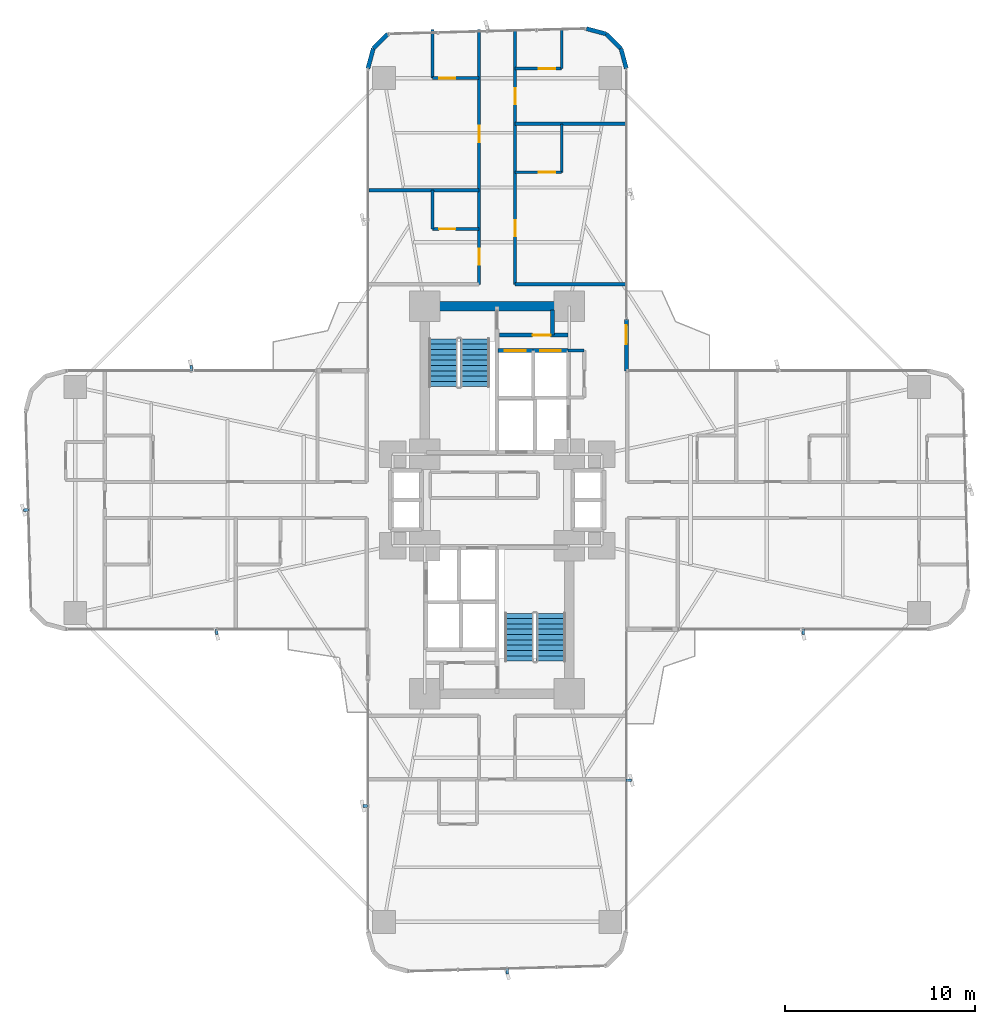
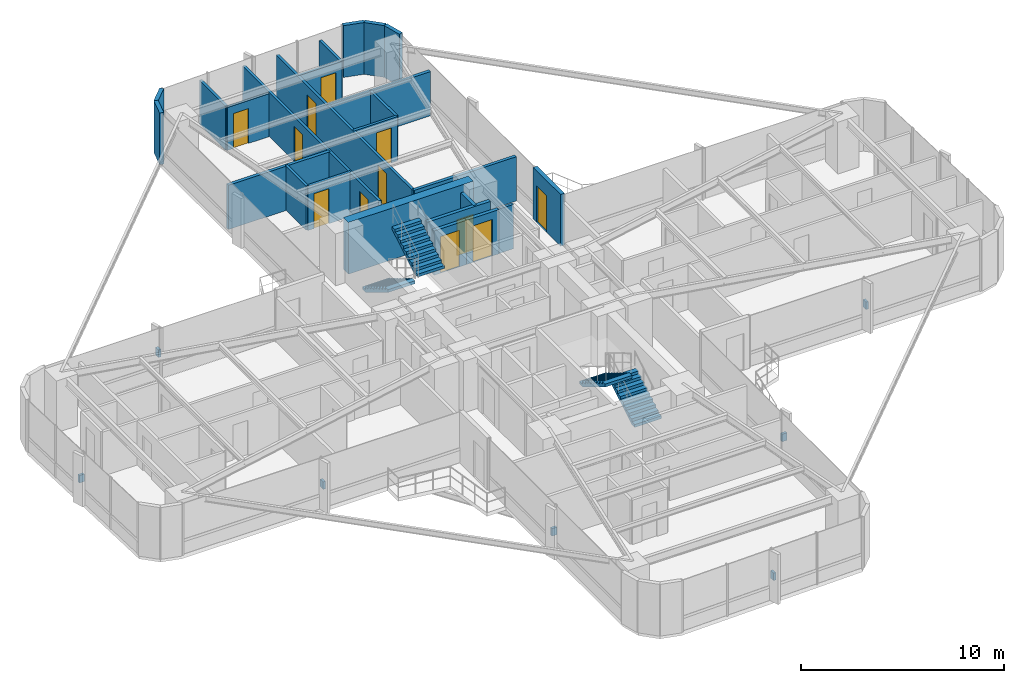
# One storey, part 24 of 26: 25 walls, 12 doors, 7 discrete accessories, 4 stair flights, 12 openings, 2 elements without a shape of their own.
"""IFC4 building model written with IfcOpenShell, lengths in metres."""

from ifc_helpers import new_model, si_unit, direction, frame, frame_2d, origin, origin_2d, place, context, subcontext, project, spatial, polyline, rectangle, outline, extrude, source, transform, mapped, material, layer, layer_set, type_object, element, fill, aggregate, save


model = new_model("IFC4")

# Units and contexts
model_context = context("Model", 3, precision=1e-05, world=origin(), true_north=direction((0.0, 1.0)))
body_context = subcontext(model_context, "Body", "Model", "MODEL_VIEW")
ifc_project = project(units=[si_unit("LENGTHUNIT", "METRE"), si_unit("AREAUNIT", "SQUARE_METRE"), si_unit("VOLUMEUNIT", "CUBIC_METRE"), si_unit("PLANEANGLEUNIT", "RADIAN"), si_unit("MASSUNIT", "GRAM", prefix="KILO")], contexts=[model_context])

# Site, building, storey
site_placement = place(None, origin())
site = spatial("IfcSite", under=ifc_project, at=site_placement, CompositionType="ELEMENT")
building_placement = place(site_placement, origin())
building = spatial("IfcBuilding", under=site, at=building_placement, Name="Sahyath Konkavel Grand Hotel", CompositionType="ELEMENT")
storey_placement = place(building_placement, frame((0.0, 0.0, 51.050048828125)))
storey = spatial("IfcBuildingStorey", under=building, at=storey_placement, Name="L13", CompositionType="ELEMENT", Elevation=51.050048828125)

# Wall
ifc_material_1 = material(Name="Concrete C70/85", Category="concrete")
ifc_layer_1 = layer(ifc_material_1, 0.5)
ifc_layer_set_1 = layer_set([ifc_layer_1], Name="Concrete C70/85")
wall_type_1 = type_object("IfcWallType", Name="CWALL-500", PredefinedType="SHEAR", material=ifc_layer_set_1)
wall_1_placement = place(storey_placement, frame((-3.550048828125, 10.199951171875, 0.0), z_axis=(0.0, 0.0, 1.0), x_axis=(1.0, 0.0, 0.0)))
element("IfcWall", 1, at=wall_1_placement, inside=storey, type_object=wall_type_1, Name="L13 North Core Shear Wall N", PredefinedType="SHEAR", context=body_context, shape_type="SweptSolid", body=[
    extrude(rectangle(XDim=7.10009765625, YDim=0.5, at=frame_2d((3.550048828125, 0.0))), origin(), (0.0, 0.0, 1.0), 3.10986328125),
])

# Wall, opening, door
ifc_material_2 = material(Name="Warm Buff Sandstone Insulated Concrete C40/50", Category="masonry")
ifc_layer_2 = layer(ifc_material_2, 0.219970703125)
ifc_layer_set_2 = layer_set([ifc_layer_2], Name="Warm Buff Sandstone Insulated Concrete C40/50")
wall_type_2 = type_object("IfcWallType", Name="WLL-BALC-THRESH", PredefinedType="STANDARD", material=ifc_layer_set_2)
wall_2_placement = place(storey_placement, frame((6.800048828125, 6.800048828125, 0.0), z_axis=(0.0, 0.0, 1.0), x_axis=(0.0, 1.0, 0.0)))
wall_2 = element("IfcWall", 2, at=wall_2_placement, inside=storey, type_object=wall_type_2, Name="L13 Winter-Garden Threshold Wall 8", PredefinedType="STANDARD", context=body_context, shape_type="SweptSolid", body=[
    extrude(rectangle(XDim=2.699951171875, YDim=0.219970703125, at=frame_2d((1.35009765625, 0.0))), origin(), (0.0, 0.0, 1.0), 3.10986328125),
])
opening_1_placement = place(wall_2_placement, frame((1.39990234375, 0.0, 0.0)))
opening_1 = element("IfcOpeningElement", 3, at=opening_1_placement, cuts=wall_2, Name="Opening D-TR1", PredefinedType="OPENING", context=body_context, shape_type="SweptSolid", body=[
    extrude(rectangle(XDim=1.0, YDim=2.199951171875, at=frame_2d((0.5, 1.10009765625))), frame((0.0, 0.1201171875, 0.0), z_axis=(0.0, -1.0, 0.0), x_axis=(1.0, 0.0, 0.0)), (0.0, 0.0, 1.0), 0.239990234375),
])
ifc_material_3 = material(Name="Anodised Bronze Aluminium & Low-E Glazing", Category="aluminium")
door_type_1 = type_object("IfcDoorType", Name="DR-TERRACE-1000", OperationType="NOTDEFINED", PredefinedType="DOOR", material=ifc_material_3)
shared_shape_1 = source(origin(), body_context, "Body", "SweptSolid", [
    extrude(rectangle(XDim=1.0, YDim=0.050048828125, at=origin_2d()), origin(), (0.0, 0.0, 1.0), 2.199951171875),
])
door_1_placement = place(opening_1_placement, frame((0.5, 0.0, 0.0)))
door_1 = element("IfcDoor", 4, at=door_1_placement, inside=storey, type_object=door_type_1, Name="L13 Winter-Garden Terrace Door 8", OperationType="SINGLE_SWING_LEFT", OverallHeight=2.199951171875, OverallWidth=1.0, PredefinedType="DOOR", context=body_context, shape_type="MappedRepresentation", body=[
    mapped(shared_shape_1, transform((0.0, 0.0, 0.0), scale=1.0)),
])
fill(opening_1, door_1)

# Walls
for number, where, z_axis, x_axis, name in (
    (5, (6.800048828125, 22.699951171875, 0.0), (0.0, 0.0, 1.0), (-0.25872485917, 0.965951058412, 0.0), "L13 Rounded Corner Sandstone Pier 9"),
    (6, (6.518798828125, 23.75, 0.0), (0.0, 0.0, 1.0), (-0.707106781187, 0.707106781187, 0.0), "L13 Rounded Corner Sandstone Pier 10"),
    (7, (5.75, 24.518798828125, 0.0), (0.0, 0.0, 1.0), (-0.965951058412, 0.25872485917, 0.0), "L13 Rounded Corner Sandstone Pier 11"),
    (8, (-5.75, 24.518798828125, 0.0), (0.0, 0.0, 1.0), (-0.707106781187, -0.707106781187, 0.0), "L13 Rounded Corner Sandstone Pier 13"),
    (9, (-6.518798828125, 23.75, 0.0), (0.0, 0.0, 1.0), (-0.25872485917, -0.965951058412, 0.0), "L13 Rounded Corner Sandstone Pier 14"),
):
    element("IfcWall", number, at=place(storey_placement, frame(where, z_axis=z_axis, x_axis=x_axis)), inside=storey, type_object=wall_type_2, Name=name, PredefinedType="STANDARD", context=body_context, shape_type="SweptSolid", body=[
        extrude(rectangle(XDim=1.087158203125, YDim=0.219970703125, at=frame_2d((0.54345703125, 0.0))), origin(), (0.0, 0.0, 1.0), 3.10986328125),
    ])

# Wall, opening, door
ifc_material_4 = material(Name="Concrete C40/50", Category="concrete")
ifc_layer_3 = layer(ifc_material_4, 0.199951171875)
ifc_layer_set_3 = layer_set([ifc_layer_3], Name="Concrete C40/50")
wall_type_3 = type_object("IfcWallType", Name="WLL-CORE-200", PredefinedType="SOLIDWALL", material=ifc_layer_set_3)
wall_3_placement = place(storey_placement, frame((0.050048828125, 7.860107421875, 0.0), z_axis=(0.0, 0.0, 1.0), x_axis=(1.0, 0.0, 0.0)))
wall_3 = element("IfcWall", 10, at=wall_3_placement, inside=storey, type_object=wall_type_3, Name="L13 Partition SH-PL1-N", PredefinedType="SOLIDWALL", context=body_context, shape_type="SweptSolid", body=[
    extrude(rectangle(XDim=1.849853515625, YDim=0.199951171875, at=frame_2d((0.9248046875, 0.0))), origin(), (0.0, 0.0, 1.0), 2.659912109375),
])
opening_2_placement = place(wall_3_placement, frame((0.360107421875, 0.0, 0.0)))
opening_2 = element("IfcOpeningElement", 11, at=opening_2_placement, cuts=wall_3, Name="Opening LD-11", PredefinedType="OPENING", context=body_context, shape_type="SweptSolid", body=[
    extrude(rectangle(XDim=1.10009765625, YDim=2.199951171875, at=frame_2d((0.550048828125, 1.10009765625))), frame((0.0, 0.10986328125, 0.0), z_axis=(0.0, -1.0, 0.0), x_axis=(1.0, 0.0, 0.0)), (0.0, 0.0, 1.0), 0.219970703125),
])
ifc_material_5 = material(Name="Bronze Lift Landing Door 1100")
door_type_2 = type_object("IfcDoorType", Name="DR-LIFT-1100", OperationType="DOUBLE_DOOR_SLIDING", PredefinedType="DOOR", material=ifc_material_5)
shared_shape_2 = source(origin(), body_context, "Body", "SweptSolid", [
    extrude(rectangle(XDim=1.10009765625, YDim=0.050048828125, at=origin_2d()), origin(), (0.0, 0.0, 1.0), 2.199951171875),
])
door_2_placement = place(opening_2_placement, frame((0.550048828125, 0.0, 0.0)))
door_2 = element("IfcDoor", 12, at=door_2_placement, inside=storey, type_object=door_type_2, Name="L13 Passenger Lift PL-1 Landing Door", OperationType="DOUBLE_DOOR_SLIDING", OverallHeight=2.199951171875, OverallWidth=1.10009765625, PredefinedType="DOOR", context=body_context, shape_type="MappedRepresentation", body=[
    mapped(shared_shape_2, transform((0.0, 0.0, 0.0), scale=1.0)),
])
fill(opening_2, door_2)

wall_4_placement = place(storey_placement, frame((1.89990234375, 7.860107421875, 0.0), z_axis=(0.0, 0.0, 1.0), x_axis=(1.0, 0.0, 0.0)))
wall_4 = element("IfcWall", 13, at=wall_4_placement, inside=storey, type_object=wall_type_3, Name="L13 Partition SH-PL2-N", PredefinedType="SOLIDWALL", context=body_context, shape_type="SweptSolid", body=[
    extrude(rectangle(XDim=1.840087890625, YDim=0.199951171875, at=frame_2d((0.919921875, 0.0))), origin(), (0.0, 0.0, 1.0), 2.659912109375),
])
opening_3_placement = place(wall_4_placement, frame((0.360107421875, 0.0, 0.0)))
opening_3 = element("IfcOpeningElement", 14, at=opening_3_placement, cuts=wall_4, Name="Opening LD-11", PredefinedType="OPENING", context=body_context, shape_type="SweptSolid", body=[
    extrude(rectangle(XDim=1.10009765625, YDim=2.199951171875, at=frame_2d((0.550048828125, 1.10009765625))), frame((0.0, 0.10986328125, 0.0), z_axis=(0.0, -1.0, 0.0), x_axis=(1.0, 0.0, 0.0)), (0.0, 0.0, 1.0), 0.219970703125),
])
door_3_placement = place(opening_3_placement, frame((0.550048828125, 0.0, 0.0)))
door_3 = element("IfcDoor", 15, at=door_3_placement, inside=storey, type_object=door_type_2, Name="L13 Passenger Lift PL-2 Landing Door", OperationType="DOUBLE_DOOR_SLIDING", OverallHeight=2.199951171875, OverallWidth=1.10009765625, PredefinedType="DOOR", context=body_context, shape_type="MappedRepresentation", body=[
    mapped(shared_shape_2, transform((0.0, 0.0, 0.0), scale=1.0)),
])
fill(opening_3, door_3)

wall_5_placement = place(storey_placement, frame((0.1201171875, 8.679931640625, 0.0), z_axis=(0.0, 0.0, 1.0), x_axis=(1.0, 0.0, 0.0)))
wall_5 = element("IfcWall", 16, at=wall_5_placement, inside=storey, type_object=wall_type_3, Name="L13 North FF Lobby Separation Wall", PredefinedType="SOLIDWALL", context=body_context, shape_type="SweptSolid", body=[
    extrude(rectangle(XDim=3.619873046875, YDim=0.199951171875, at=frame_2d((1.81005859375, 0.0))), origin(), (0.0, 0.0, 1.0), 2.659912109375),
])
opening_4_placement = place(wall_5_placement, frame((1.75, 0.0, 0.0)))
opening_4 = element("IfcOpeningElement", 17, at=opening_4_placement, cuts=wall_5, Name="Opening D-F12C", PredefinedType="OPENING", context=body_context, shape_type="SweptSolid", body=[
    extrude(rectangle(XDim=0.949951171875, YDim=2.14990234375, at=frame_2d((0.47509765625, 1.074951171875))), frame((0.0, 0.10986328125, 0.0), z_axis=(0.0, -1.0, 0.0), x_axis=(1.0, 0.0, 0.0)), (0.0, 0.0, 1.0), 0.219970703125),
])
ifc_material_6 = material(Name="Steel E350 Plant Fire Door", Category="steel")
door_type_3 = type_object("IfcDoorType", Name="DR-FD120-950", OperationType="NOTDEFINED", PredefinedType="DOOR", material=ifc_material_6)
shared_shape_3 = source(origin(), body_context, "Body", "SweptSolid", [
    extrude(rectangle(XDim=0.949951171875, YDim=0.050048828125, at=origin_2d()), origin(), (0.0, 0.0, 1.0), 2.14990234375),
])
door_4_placement = place(opening_4_placement, frame((0.47509765625, 0.0, 0.0)))
door_4 = element("IfcDoor", 18, at=door_4_placement, inside=storey, type_object=door_type_3, Name="L13 North Firefighting Lobby Door", OperationType="SINGLE_SWING_RIGHT", OverallHeight=2.14990234375, OverallWidth=0.949951171875, PredefinedType="DOOR", context=body_context, shape_type="MappedRepresentation", body=[
    mapped(shared_shape_3, transform((0.0, 0.0, 0.0), scale=1.0)),
])
fill(opening_4, door_4)

# Walls
wall_6_placement = place(storey_placement, frame((2.919921875, 8.679931640625, 0.0), z_axis=(0.0, 0.0, 1.0), x_axis=(0.0, 1.0, 0.0)))
element("IfcWall", 19, at=wall_6_placement, inside=storey, type_object=wall_type_3, Name="L13 Partition NFF-E2", PredefinedType="SOLIDWALL", context=body_context, shape_type="SweptSolid", body=[
    extrude(rectangle(XDim=1.320068359375, YDim=0.199951171875, at=frame_2d((0.66015625, 0.0))), origin(), (0.0, 0.0, 1.0), 2.659912109375),
])
ifc_material_7 = material(Name="Twin-Stud Acoustic Gypsum Plasterboard Partition")
ifc_layer_4 = layer(ifc_material_7, 0.179931640625)
ifc_layer_set_4 = layer_set([ifc_layer_4], Name="Twin-Stud Acoustic Gypsum Plasterboard Partition")
wall_type_4 = type_object("IfcWallType", Name="WLL-DEMISE-180", PredefinedType="PARTITIONING", material=ifc_layer_set_4)
for number, where, z_axis, x_axis, name in (
    (20, (6.75, 11.35009765625, 0.0), (0.0, 0.0, 1.0), (-1.0, 0.0, 0.0), "L13 Partition N-INR"),
    (21, (-0.949951171875, 16.30810546875, 0.0), (0.0, 0.0, 1.0), (-1.0, 0.0, 0.0), "L13 Partition N-N1L-DEM"),
    (22, (0.949951171875, 19.7919921875, 0.0), (0.0, 0.0, 1.0), (1.0, 0.0, 0.0), "L13 Partition N-N1R-DEM"),
):
    element("IfcWall", number, at=place(storey_placement, frame(where, z_axis=z_axis, x_axis=x_axis)), inside=storey, type_object=wall_type_4, Name=name, PredefinedType="PARTITIONING", context=body_context, shape_type="SweptSolid", body=[
        extrude(rectangle(XDim=5.800048828125, YDim=0.179931640625, at=frame_2d((2.89990234375, 0.0))), origin(), (0.0, 0.0, 1.0), 2.659912109375),
    ])
ifc_material_8 = material(Name="Fire-Rated Gypsum Plasterboard Partition")
ifc_layer_5 = layer(ifc_material_8, 0.14990234375)
ifc_layer_set_5 = layer_set([ifc_layer_5], Name="Fire-Rated Gypsum Plasterboard Partition")
wall_type_5 = type_object("IfcWallType", Name="WLL-PART-150", PredefinedType="PARTITIONING", material=ifc_layer_set_5)
wall_7_placement = place(storey_placement, frame((3.739990234375, 7.860107421875, 0.0), z_axis=(0.0, 0.0, 1.0), x_axis=(1.0, 0.0, 0.0)))
element("IfcWall", 23, at=wall_7_placement, inside=storey, type_object=wall_type_5, Name="L13 Partition NC-FLK-N", PredefinedType="PARTITIONING", context=body_context, shape_type="SweptSolid", body=[
    extrude(rectangle(XDim=0.840087890625, YDim=0.14990234375, at=frame_2d((0.419921875, 0.0))), origin(), (0.0, 0.0, 1.0), 2.659912109375),
])

# Wall, openings, doors
wall_8_placement = place(storey_placement, frame((-0.949951171875, 11.35009765625, 0.0), z_axis=(0.0, 0.0, 1.0), x_axis=(0.0, 1.0, 0.0)))
wall_8 = element("IfcWall", 24, at=wall_8_placement, inside=storey, type_object=wall_type_5, Name="L13 Partition N-CL", PredefinedType="PARTITIONING", context=body_context, shape_type="SweptSolid", body=[
    extrude(rectangle(XDim=13.39990234375, YDim=0.14990234375, at=frame_2d((6.699951171875, 0.0))), origin(), (0.0, 0.0, 1.0), 2.659912109375),
])
opening_5_placement = place(wall_8_placement, frame((1.029052734375, 0.0, 0.0)))
opening_5 = element("IfcOpeningElement", 25, at=opening_5_placement, cuts=wall_8, Name="Opening D-F06D", PredefinedType="OPENING", context=body_context, shape_type="SweptSolid", body=[
    extrude(rectangle(XDim=0.85009765625, YDim=2.10009765625, at=frame_2d((0.425048828125, 1.050048828125))), frame((0.0, 0.0849609375, 0.0), z_axis=(0.0, -1.0, 0.0), x_axis=(1.0, 0.0, 0.0)), (0.0, 0.0, 1.0), 0.169921875),
])
opening_6_placement = place(wall_8_placement, frame((7.47900390625, 0.0, 0.0)))
opening_6 = element("IfcOpeningElement", 26, at=opening_6_placement, cuts=wall_8, Name="Opening D-F06D", PredefinedType="OPENING", context=body_context, shape_type="SweptSolid", body=[
    extrude(rectangle(XDim=0.85009765625, YDim=2.10009765625, at=frame_2d((0.425048828125, 1.050048828125))), frame((0.0, 0.0849609375, 0.0), z_axis=(0.0, -1.0, 0.0), x_axis=(1.0, 0.0, 0.0)), (0.0, 0.0, 1.0), 0.169921875),
])
ifc_material_9 = material(Name="Fire-Rated Shaft Access Door")
door_type_4 = type_object("IfcDoorType", Name="DR-FD60-850", OperationType="NOTDEFINED", PredefinedType="DOOR", material=ifc_material_9)
shared_shape_4 = source(origin(), body_context, "Body", "SweptSolid", [
    extrude(rectangle(XDim=0.85009765625, YDim=0.050048828125, at=origin_2d()), origin(), (0.0, 0.0, 1.0), 2.10009765625),
])
door_5_placement = place(opening_5_placement, frame((0.425048828125, 0.0, 0.0)))
door_5 = element("IfcDoor", 27, at=door_5_placement, inside=storey, type_object=door_type_4, Name="L13 Door N-N1L-ED", OperationType="SINGLE_SWING_RIGHT", OverallHeight=2.10009765625, OverallWidth=0.85009765625, PredefinedType="DOOR", context=body_context, shape_type="MappedRepresentation", body=[
    mapped(shared_shape_4, transform((0.0, 0.0, 0.0), scale=1.0)),
])
fill(opening_5, door_5)
door_6_placement = place(opening_6_placement, frame((0.425048828125, 0.0, 0.0)))
door_6 = element("IfcDoor", 28, at=door_6_placement, inside=storey, type_object=door_type_4, Name="L13 Door N-N2L-ED", OperationType="SINGLE_SWING_RIGHT", OverallHeight=2.10009765625, OverallWidth=0.85009765625, PredefinedType="DOOR", context=body_context, shape_type="MappedRepresentation", body=[
    mapped(shared_shape_4, transform((0.0, 0.0, 0.0), scale=1.0)),
])
fill(opening_6, door_6)

wall_9_placement = place(storey_placement, frame((0.949951171875, 11.35009765625, 0.0), z_axis=(0.0, 0.0, 1.0), x_axis=(0.0, 1.0, 0.0)))
wall_9 = element("IfcWall", 29, at=wall_9_placement, inside=storey, type_object=wall_type_5, Name="L13 Partition N-CR", PredefinedType="PARTITIONING", context=body_context, shape_type="SweptSolid", body=[
    extrude(rectangle(XDim=13.39990234375, YDim=0.14990234375, at=frame_2d((6.699951171875, 0.0))), origin(), (0.0, 0.0, 1.0), 2.659912109375),
])
opening_7_placement = place(wall_9_placement, frame((2.52099609375, 0.0, 0.0)))
opening_7 = element("IfcOpeningElement", 30, at=opening_7_placement, cuts=wall_9, Name="Opening D-F06D", PredefinedType="OPENING", context=body_context, shape_type="SweptSolid", body=[
    extrude(rectangle(XDim=0.85009765625, YDim=2.10009765625, at=frame_2d((0.425048828125, 1.050048828125))), frame((0.0, 0.0849609375, 0.0), z_axis=(0.0, -1.0, 0.0), x_axis=(1.0, 0.0, 0.0)), (0.0, 0.0, 1.0), 0.169921875),
])
opening_8_placement = place(wall_9_placement, frame((9.470947265625, 0.0, 0.0)))
opening_8 = element("IfcOpeningElement", 31, at=opening_8_placement, cuts=wall_9, Name="Opening D-F06D", PredefinedType="OPENING", context=body_context, shape_type="SweptSolid", body=[
    extrude(rectangle(XDim=0.85009765625, YDim=2.10009765625, at=frame_2d((0.425048828125, 1.050048828125))), frame((0.0, 0.0849609375, 0.0), z_axis=(0.0, -1.0, 0.0), x_axis=(1.0, 0.0, 0.0)), (0.0, 0.0, 1.0), 0.169921875),
])
door_7_placement = place(opening_7_placement, frame((0.425048828125, 0.0, 0.0)))
door_7 = element("IfcDoor", 32, at=door_7_placement, inside=storey, type_object=door_type_4, Name="L13 Door N-N1R-ED", OperationType="SINGLE_SWING_RIGHT", OverallHeight=2.10009765625, OverallWidth=0.85009765625, PredefinedType="DOOR", context=body_context, shape_type="MappedRepresentation", body=[
    mapped(shared_shape_4, transform((0.0, 0.0, 0.0), scale=1.0)),
])
fill(opening_7, door_7)
door_8_placement = place(opening_8_placement, frame((0.425048828125, 0.0, 0.0)))
door_8 = element("IfcDoor", 33, at=door_8_placement, inside=storey, type_object=door_type_4, Name="L13 Door N-N2R-ED", OperationType="SINGLE_SWING_RIGHT", OverallHeight=2.10009765625, OverallWidth=0.85009765625, PredefinedType="DOOR", context=body_context, shape_type="MappedRepresentation", body=[
    mapped(shared_shape_4, transform((0.0, 0.0, 0.0), scale=1.0)),
])
fill(opening_8, door_8)

# Wall, opening, door
wall_10_placement = place(storey_placement, frame((-0.949951171875, 14.258056640625, 0.0), z_axis=(0.0, 0.0, 1.0), x_axis=(-1.0, 0.0, 0.0)))
wall_10 = element("IfcWall", 34, at=wall_10_placement, inside=storey, type_object=wall_type_5, Name="L13 Partition N-N1L-BS", PredefinedType="PARTITIONING", context=body_context, shape_type="SweptSolid", body=[
    extrude(rectangle(XDim=2.449951171875, YDim=0.14990234375, at=frame_2d((1.22509765625, 0.0))), origin(), (0.0, 0.0, 1.0), 2.659912109375),
])
opening_9_placement = place(wall_10_placement, frame((1.25, 0.0, 0.0)))
opening_9 = element("IfcOpeningElement", 35, at=opening_9_placement, cuts=wall_10, Name="Opening D-BT85", PredefinedType="OPENING", context=body_context, shape_type="SweptSolid", body=[
    extrude(rectangle(XDim=0.85009765625, YDim=2.10009765625, at=frame_2d((0.425048828125, 1.050048828125))), frame((0.0, 0.0849609375, 0.0), z_axis=(0.0, -1.0, 0.0), x_axis=(1.0, 0.0, 0.0)), (0.0, 0.0, 1.0), 0.169921875),
])
ifc_material_10 = material(Name="Moisture-Resistant Teak Bathroom Door")
door_type_5 = type_object("IfcDoorType", Name="DR-BATH-850", OperationType="NOTDEFINED", PredefinedType="DOOR", material=ifc_material_10)
door_9_placement = place(opening_9_placement, frame((0.425048828125, 0.0, 0.0)))
door_9 = element("IfcDoor", 36, at=door_9_placement, inside=storey, type_object=door_type_5, Name="L13 Door N-N1L-BD", OperationType="SINGLE_SWING_LEFT", OverallHeight=2.10009765625, OverallWidth=0.85009765625, PredefinedType="DOOR", context=body_context, shape_type="MappedRepresentation", body=[
    mapped(shared_shape_4, transform((0.0, 0.0, 0.0), scale=1.0)),
])
fill(opening_9, door_9)

# Wall
wall_11_placement = place(storey_placement, frame((-3.39990234375, 14.258056640625, 0.0), z_axis=(0.0, 0.0, 1.0), x_axis=(0.0, 1.0, 0.0)))
element("IfcWall", 37, at=wall_11_placement, inside=storey, type_object=wall_type_5, Name="L13 Partition N-N1L-BF", PredefinedType="PARTITIONING", context=body_context, shape_type="SweptSolid", body=[
    extrude(rectangle(XDim=2.050048828125, YDim=0.14990234375, at=frame_2d((1.02490234375, 0.0))), origin(), (0.0, 0.0, 1.0), 2.659912109375),
])

# Wall, opening, door
wall_12_placement = place(storey_placement, frame((-0.949951171875, 22.199951171875, 0.0), z_axis=(0.0, 0.0, 1.0), x_axis=(-1.0, 0.0, 0.0)))
wall_12 = element("IfcWall", 38, at=wall_12_placement, inside=storey, type_object=wall_type_5, Name="L13 Partition N-N2L-BS", PredefinedType="PARTITIONING", context=body_context, shape_type="SweptSolid", body=[
    extrude(rectangle(XDim=2.449951171875, YDim=0.14990234375, at=frame_2d((1.22509765625, 0.0))), origin(), (0.0, 0.0, 1.0), 2.579833984375),
])
opening_10_placement = place(wall_12_placement, frame((1.25, 0.0, 0.0)))
opening_10 = element("IfcOpeningElement", 39, at=opening_10_placement, cuts=wall_12, Name="Opening D-BT85", PredefinedType="OPENING", context=body_context, shape_type="SweptSolid", body=[
    extrude(rectangle(XDim=0.85009765625, YDim=2.10009765625, at=frame_2d((0.425048828125, 1.050048828125))), frame((0.0, 0.0849609375, 0.0), z_axis=(0.0, -1.0, 0.0), x_axis=(1.0, 0.0, 0.0)), (0.0, 0.0, 1.0), 0.169921875),
])
door_10_placement = place(opening_10_placement, frame((0.425048828125, 0.0, 0.0)))
door_10 = element("IfcDoor", 40, at=door_10_placement, inside=storey, type_object=door_type_5, Name="L13 Door N-N2L-BD", OperationType="SINGLE_SWING_LEFT", OverallHeight=2.10009765625, OverallWidth=0.85009765625, PredefinedType="DOOR", context=body_context, shape_type="MappedRepresentation", body=[
    mapped(shared_shape_4, transform((0.0, 0.0, 0.0), scale=1.0)),
])
fill(opening_10, door_10)

# Wall
wall_13_placement = place(storey_placement, frame((-3.39990234375, 22.199951171875, 0.0), z_axis=(0.0, 0.0, 1.0), x_axis=(0.0, 1.0, 0.0)))
element("IfcWall", 41, at=wall_13_placement, inside=storey, type_object=wall_type_5, Name="L13 Partition N-N2L-BF", PredefinedType="PARTITIONING", context=body_context, shape_type="SweptSolid", body=[
    extrude(rectangle(XDim=2.550048828125, YDim=0.14990234375, at=frame_2d((1.27490234375, 0.0))), origin(), (0.0, 0.0, 1.0), 2.659912109375),
])

# Wall, opening, door
wall_14_placement = place(storey_placement, frame((0.949951171875, 17.241943359375, 0.0), z_axis=(0.0, 0.0, 1.0), x_axis=(1.0, 0.0, 0.0)))
wall_14 = element("IfcWall", 42, at=wall_14_placement, inside=storey, type_object=wall_type_5, Name="L13 Partition N-N1R-BS", PredefinedType="PARTITIONING", context=body_context, shape_type="SweptSolid", body=[
    extrude(rectangle(XDim=2.449951171875, YDim=0.14990234375, at=frame_2d((1.22509765625, 0.0))), origin(), (0.0, 0.0, 1.0), 2.659912109375),
])
opening_11_placement = place(wall_14_placement, frame((1.25, 0.0, 0.0)))
opening_11 = element("IfcOpeningElement", 43, at=opening_11_placement, cuts=wall_14, Name="Opening D-BT85", PredefinedType="OPENING", context=body_context, shape_type="SweptSolid", body=[
    extrude(rectangle(XDim=0.85009765625, YDim=2.10009765625, at=frame_2d((0.425048828125, 1.050048828125))), frame((0.0, 0.0849609375, 0.0), z_axis=(0.0, -1.0, 0.0), x_axis=(1.0, 0.0, 0.0)), (0.0, 0.0, 1.0), 0.169921875),
])
door_11_placement = place(opening_11_placement, frame((0.425048828125, 0.0, 0.0)))
door_11 = element("IfcDoor", 44, at=door_11_placement, inside=storey, type_object=door_type_5, Name="L13 Door N-N1R-BD", OperationType="SINGLE_SWING_LEFT", OverallHeight=2.10009765625, OverallWidth=0.85009765625, PredefinedType="DOOR", context=body_context, shape_type="MappedRepresentation", body=[
    mapped(shared_shape_4, transform((0.0, 0.0, 0.0), scale=1.0)),
])
fill(opening_11, door_11)

# Wall
wall_15_placement = place(storey_placement, frame((3.39990234375, 17.241943359375, 0.0), z_axis=(0.0, 0.0, 1.0), x_axis=(0.0, 1.0, 0.0)))
element("IfcWall", 45, at=wall_15_placement, inside=storey, type_object=wall_type_5, Name="L13 Partition N-N1R-BF", PredefinedType="PARTITIONING", context=body_context, shape_type="SweptSolid", body=[
    extrude(rectangle(XDim=2.550048828125, YDim=0.14990234375, at=frame_2d((1.27490234375, 0.0))), origin(), (0.0, 0.0, 1.0), 2.659912109375),
])

# Wall, opening, door
wall_16_placement = place(storey_placement, frame((0.949951171875, 22.699951171875, 0.0), z_axis=(0.0, 0.0, 1.0), x_axis=(1.0, 0.0, 0.0)))
wall_16 = element("IfcWall", 46, at=wall_16_placement, inside=storey, type_object=wall_type_5, Name="L13 Partition N-N2R-BS", PredefinedType="PARTITIONING", context=body_context, shape_type="SweptSolid", body=[
    extrude(rectangle(XDim=2.449951171875, YDim=0.14990234375, at=frame_2d((1.22509765625, 0.0))), origin(), (0.0, 0.0, 1.0), 2.659912109375),
])
opening_12_placement = place(wall_16_placement, frame((1.25, 0.0, 0.0)))
opening_12 = element("IfcOpeningElement", 47, at=opening_12_placement, cuts=wall_16, Name="Opening D-BT85", PredefinedType="OPENING", context=body_context, shape_type="SweptSolid", body=[
    extrude(rectangle(XDim=0.85009765625, YDim=2.10009765625, at=frame_2d((0.425048828125, 1.050048828125))), frame((0.0, 0.0849609375, 0.0), z_axis=(0.0, -1.0, 0.0), x_axis=(1.0, 0.0, 0.0)), (0.0, 0.0, 1.0), 0.169921875),
])
door_12_placement = place(opening_12_placement, frame((0.425048828125, 0.0, 0.0)))
door_12 = element("IfcDoor", 48, at=door_12_placement, inside=storey, type_object=door_type_5, Name="L13 Door N-N2R-BD", OperationType="SINGLE_SWING_LEFT", OverallHeight=2.10009765625, OverallWidth=0.85009765625, PredefinedType="DOOR", context=body_context, shape_type="MappedRepresentation", body=[
    mapped(shared_shape_4, transform((0.0, 0.0, 0.0), scale=1.0)),
])
fill(opening_12, door_12)

# Wall
wall_17_placement = place(storey_placement, frame((3.39990234375, 22.699951171875, 0.0), z_axis=(0.0, 0.0, 1.0), x_axis=(0.0, 1.0, 0.0)))
element("IfcWall", 49, at=wall_17_placement, inside=storey, type_object=wall_type_5, Name="L13 Partition N-N2R-BF", PredefinedType="PARTITIONING", context=body_context, shape_type="SweptSolid", body=[
    extrude(rectangle(XDim=2.050048828125, YDim=0.14990234375, at=frame_2d((1.02490234375, 0.0))), origin(), (0.0, 0.0, 1.0), 2.659912109375),
])

# Stair, stair flights
stair_type = type_object("IfcStairType", Name="STR-ST16-335", PredefinedType="HALF_TURN_STAIR", material=ifc_material_4)
stair_1_placement = place(storey_placement, origin())
stair_1 = element("IfcStair", 50, at=stair_1_placement, inside=storey, type_object=stair_type, Name="L13 North Core Smokeproof Exit Stair ST-1", PredefinedType="HALF_TURN_STAIR")
stair_flight_type = type_object("IfcStairFlightType", Name="STF-ST16-335", PredefinedType="STRAIGHT", material=ifc_material_4)
stair_flight_1_placement = place(storey_placement, frame((-2.840087890625, 8.47998046875, 0.0), z_axis=(0.0, 0.0, 1.0), x_axis=(0.0, -1.0, 0.0)))
stair_flight_1 = element("IfcStairFlight", 51, at=stair_flight_1_placement, type_object=stair_flight_type, Name="ST-1 flight 1", NumberOfRisers=10, NumberOfTreads=9, PredefinedType="STRAIGHT", RiserHeight=0.1675, TreadLength=0.28, context=body_context, shape_type="SweptSolid", body=[
    extrude(outline(polyline([(0.0, 0.0), (0.0, 0.16748046875), (0.280029296875, 0.16748046875), (0.280029296875, 0.3349609375), (0.56005859375, 0.3349609375), (0.56005859375, 0.50244140625), (0.840087890625, 0.50244140625), (0.840087890625, 0.669921875), (1.1201171875, 0.669921875), (1.1201171875, 0.83740234375), (1.39990234375, 0.83740234375), (1.39990234375, 1.0048828125), (1.679931640625, 1.0048828125), (1.679931640625, 1.172607421875), (1.9599609375, 1.172607421875), (1.9599609375, 1.340087890625), (2.239990234375, 1.340087890625), (2.239990234375, 1.507568359375), (2.52001953125, 1.507568359375), (2.52001953125, 1.675048828125), (2.52001953125, 1.332763671875), (0.2919921875, 0.0), (0.0, 0.0)])), frame((0.0, 0.760009765625, 0.0), z_axis=(0.0, -1.0, 0.0), x_axis=(1.0, 0.0, 0.0)), (0.0, 0.0, 1.0), 1.52001953125),
])
stair_flight_2_placement = place(storey_placement, frame((-1.159912109375, 5.9599609375, 1.675048828125), z_axis=(0.0, 0.0, 1.0), x_axis=(0.0, 1.0, 0.0)))
stair_flight_2 = element("IfcStairFlight", 52, at=stair_flight_2_placement, type_object=stair_flight_type, Name="ST-1 flight 2", NumberOfRisers=10, NumberOfTreads=9, PredefinedType="STRAIGHT", RiserHeight=0.1675, TreadLength=0.28, context=body_context, shape_type="SweptSolid", body=[
    extrude(outline(polyline([(0.0, 0.0), (0.0, 0.16748046875), (0.280029296875, 0.16748046875), (0.280029296875, 0.3349609375), (0.56005859375, 0.3349609375), (0.56005859375, 0.50244140625), (0.840087890625, 0.50244140625), (0.840087890625, 0.669921875), (1.1201171875, 0.669921875), (1.1201171875, 0.83740234375), (1.39990234375, 0.83740234375), (1.39990234375, 1.0048828125), (1.679931640625, 1.0048828125), (1.679931640625, 1.172607421875), (1.9599609375, 1.172607421875), (1.9599609375, 1.340087890625), (2.239990234375, 1.340087890625), (2.239990234375, 1.507568359375), (2.52001953125, 1.507568359375), (2.52001953125, 1.675048828125), (2.52001953125, 1.332763671875), (0.2919921875, 0.0), (0.0, 0.0)])), frame((0.0, 0.760009765625, 0.0), z_axis=(0.0, -1.0, 0.0), x_axis=(1.0, 0.0, 0.0)), (0.0, 0.0, 1.0), 1.52001953125),
])
aggregate(stair_1, [stair_flight_1, stair_flight_2])

stair_2_placement = place(storey_placement, origin())
stair_2 = element("IfcStair", 53, at=stair_2_placement, inside=storey, type_object=stair_type, Name="L13 South Core Smokeproof Exit Stair ST-2", PredefinedType="HALF_TURN_STAIR")
stair_flight_3_placement = place(storey_placement, frame((2.840087890625, -8.47998046875, 0.0), z_axis=(0.0, 0.0, 1.0), x_axis=(0.0, 1.0, 0.0)))
stair_flight_3 = element("IfcStairFlight", 54, at=stair_flight_3_placement, type_object=stair_flight_type, Name="ST-2 flight 1", NumberOfRisers=10, NumberOfTreads=9, PredefinedType="STRAIGHT", RiserHeight=0.1675, TreadLength=0.28, context=body_context, shape_type="SweptSolid", body=[
    extrude(outline(polyline([(0.0, 0.0), (0.0, 0.16748046875), (0.280029296875, 0.16748046875), (0.280029296875, 0.3349609375), (0.56005859375, 0.3349609375), (0.56005859375, 0.50244140625), (0.840087890625, 0.50244140625), (0.840087890625, 0.669921875), (1.1201171875, 0.669921875), (1.1201171875, 0.83740234375), (1.39990234375, 0.83740234375), (1.39990234375, 1.0048828125), (1.679931640625, 1.0048828125), (1.679931640625, 1.172607421875), (1.9599609375, 1.172607421875), (1.9599609375, 1.340087890625), (2.239990234375, 1.340087890625), (2.239990234375, 1.507568359375), (2.52001953125, 1.507568359375), (2.52001953125, 1.675048828125), (2.52001953125, 1.332763671875), (0.2919921875, 0.0), (0.0, 0.0)])), frame((0.0, 0.760009765625, 0.0), z_axis=(0.0, -1.0, 0.0), x_axis=(1.0, 0.0, 0.0)), (0.0, 0.0, 1.0), 1.52001953125),
])
stair_flight_4_placement = place(storey_placement, frame((1.159912109375, -5.9599609375, 1.675048828125), z_axis=(0.0, 0.0, 1.0), x_axis=(0.0, -1.0, 0.0)))
stair_flight_4 = element("IfcStairFlight", 55, at=stair_flight_4_placement, type_object=stair_flight_type, Name="ST-2 flight 2", NumberOfRisers=10, NumberOfTreads=9, PredefinedType="STRAIGHT", RiserHeight=0.1675, TreadLength=0.28, context=body_context, shape_type="SweptSolid", body=[
    extrude(outline(polyline([(0.0, 0.0), (0.0, 0.16748046875), (0.280029296875, 0.16748046875), (0.280029296875, 0.3349609375), (0.56005859375, 0.3349609375), (0.56005859375, 0.50244140625), (0.840087890625, 0.50244140625), (0.840087890625, 0.669921875), (1.1201171875, 0.669921875), (1.1201171875, 0.83740234375), (1.39990234375, 0.83740234375), (1.39990234375, 1.0048828125), (1.679931640625, 1.0048828125), (1.679931640625, 1.172607421875), (1.9599609375, 1.172607421875), (1.9599609375, 1.340087890625), (2.239990234375, 1.340087890625), (2.239990234375, 1.507568359375), (2.52001953125, 1.507568359375), (2.52001953125, 1.675048828125), (2.52001953125, 1.332763671875), (0.2919921875, 0.0), (0.0, 0.0)])), frame((0.0, 0.760009765625, 0.0), z_axis=(0.0, -1.0, 0.0), x_axis=(1.0, 0.0, 0.0)), (0.0, 0.0, 1.0), 1.52001953125),
])
aggregate(stair_2, [stair_flight_3, stair_flight_4])

# Discrete accessories
ifc_material_11 = material(Name="Steel E350", Category="steel")
discrete_accessory_type = type_object("IfcDiscreteAccessoryType", Name="ACC-FIN-BRACKET", PredefinedType="BRACKET", material=ifc_material_11)
shared_shape_5 = source(origin(), body_context, "Body", "SweptSolid", [
    extrude(rectangle(XDim=0.280029296875, YDim=0.139892578125, at=origin_2d()), origin(), (0.0, 0.0, 1.0), 0.449951171875),
])
for number, where, z_axis, x_axis, name in (
    (56, (16.10009765625, -6.929931640625, 1.330078125), (0.0, 0.0, 1.0), (0.0, -1.0, 0.0), "L13 Fin Support Bracket F0-1"),
    (57, (-16.10009765625, 6.929931640625, 1.330078125), (0.0, 0.0, 1.0), (0.0, 1.0, 0.0), "L13 Fin Support Bracket F16-1"),
    (58, (-24.789306640625, -0.528564453125, 1.330078125), (0.0, 0.0, 1.0), (-0.999637867691, -0.026909728301, 0.0), "L13 Fin Support Bracket F20-2"),
    (59, (-14.75, -6.929931640625, 1.330078125), (0.0, 0.0, 1.0), (0.0, -1.0, 0.0), "L13 Fin Support Bracket F23-1"),
    (60, (-6.929931640625, -16.10009765625, 1.330078125), (0.0, 0.0, 1.0), (-1.0, 0.0, 0.0), "L13 Fin Support Bracket F24-1"),
    (61, (0.528564453125, -24.789306640625, 1.330078125), (0.0, 0.0, 1.0), (0.026909728301, -0.999637867691, 0.0), "L13 Fin Support Bracket F28-2"),
    (62, (6.929931640625, -14.75, 1.330078125), (0.0, 0.0, 1.0), (1.0, 0.0, 0.0), "L13 Fin Support Bracket F31-1"),
):
    element("IfcDiscreteAccessory", number, at=place(storey_placement, frame(where, z_axis=z_axis, x_axis=x_axis)), inside=storey, type_object=discrete_accessory_type, Name=name, PredefinedType="BRACKET", context=body_context, shape_type="MappedRepresentation", body=[
        mapped(shared_shape_5, transform((0.0, 0.0, 0.0), scale=1.0)),
    ])

save(model, "model.ifc")
